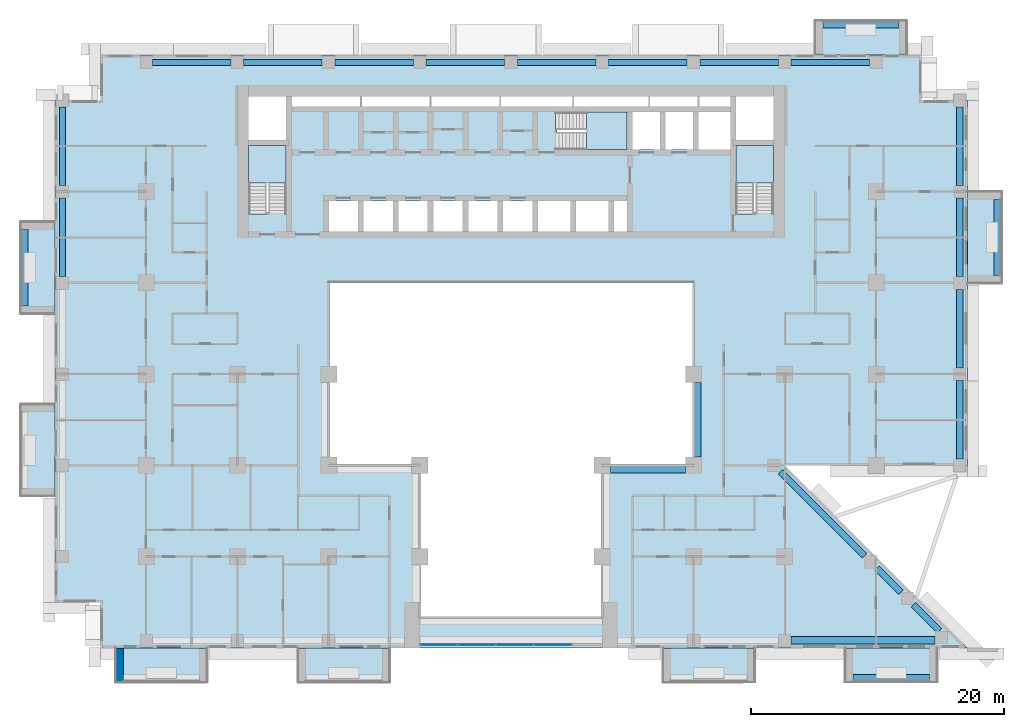
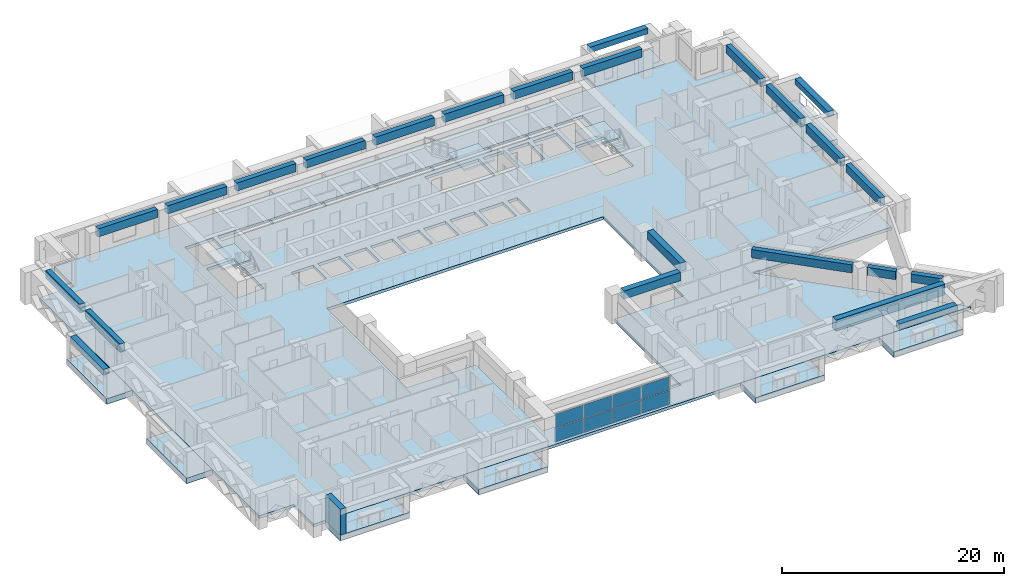
# One storey, part 5 of 17: 24 beams, 12 slabs, 8 plates, 1 wall, 4 elements without a shape of their own.
"""IFC4 building model written with IfcOpenShell, lengths in metres."""

import ifcopenshell
import ifcopenshell.guid

model = None  # the IFC model being written
_history = None  # IfcOwnerHistory: only IFC2X3 demands one
_inside = {}  # id of a spatial element -> (the spatial element, [elements in it])
_under = {}  # id of a project, library or spatial element -> (it, [spatial elements below it])
_declared = {}  # id of a project -> (the project, [libraries it declares])
_typed = {}  # id of a type object -> (the type object, [elements of that type])
_made_of = {}  # id of a material, layer set ... -> (it, [elements and type objects made of it])


def new_model(schema):
    """Start an empty IFC model of exactly this schema.

    Asked for "IFC4X3", IfcOpenShell would pick the latest addendum, in which some entities
    have other attributes; the version numbers below select the first issue.
    IFC2X3 requires an IfcOwnerHistory on every rooted entity: one is made here for all.
    """
    global model, _history
    if schema == "IFC4X3":
        model = ifcopenshell.file(schema_version=(4, 3, 0, 0))
    else:
        model = ifcopenshell.file(schema=schema)
    _inside.clear()
    _under.clear()
    _declared.clear()
    _typed.clear()
    _made_of.clear()
    _history = None
    if model.schema == "IFC2X3":
        org = make("IfcOrganization", Name="unknown")
        user = make(
            "IfcPersonAndOrganization",
            ThePerson=make("IfcPerson", FamilyName="unknown"),
            TheOrganization=org,
        )
        app = make(
            "IfcApplication",
            ApplicationDeveloper=org,
            Version="unknown",
            ApplicationFullName="unknown",
            ApplicationIdentifier="unknown",
        )
        _history = make(
            "IfcOwnerHistory",
            OwningUser=user,
            OwningApplication=app,
            ChangeAction="ADDED",
            CreationDate=0,
        )
    return model


def make(cls, **values):
    """One entity of the class cls with the attributes given. An attribute that is None is left unset."""
    return model.create_entity(
        cls, **{name: value for name, value in values.items() if value is not None}
    )


def rooted(cls, **values):
    """An entity with a GlobalId (a new one), such as an element, a storey or a relation."""
    return make(cls, GlobalId=ifcopenshell.guid.new(), OwnerHistory=_history, **values)


def si_unit(unit_type, name, prefix=None):
    """IfcSIUnit, for example si_unit("LENGTHUNIT", "METRE", prefix="MILLI")."""
    return make("IfcSIUnit", UnitType=unit_type, Prefix=prefix, Name=name)


def assignment(units):
    """IfcUnitAssignment: the units of a project."""
    return None if units is None else make("IfcUnitAssignment", Units=units)


def point(xyz):
    """IfcCartesianPoint."""
    return None if xyz is None else make("IfcCartesianPoint", Coordinates=xyz)


def direction(xyz):
    """IfcDirection."""
    return None if xyz is None else make("IfcDirection", DirectionRatios=xyz)


def frame(location, z_axis=None, x_axis=None):
    """IfcAxis2Placement3D, a coordinate frame: its origin and axes. An axis left out is left unset."""
    return make(
        "IfcAxis2Placement3D",
        Location=point(location),
        Axis=direction(z_axis),
        RefDirection=direction(x_axis),
    )


def frame_2d(location, x_axis=None):
    """IfcAxis2Placement2D, a coordinate frame in the plane: its origin and x axis."""
    return make(
        "IfcAxis2Placement2D", Location=point(location), RefDirection=direction(x_axis)
    )


def origin():
    """The frame at (0, 0, 0) with its axes left unset."""
    return frame((0.0, 0.0, 0.0))


def origin_2d():
    """The frame at (0, 0) in the plane with its x axis left unset."""
    return frame_2d((0.0, 0.0))


def place(relative_to, where):
    """IfcLocalPlacement: puts the frame where relative to a parent placement (None: the world)."""
    return make(
        "IfcLocalPlacement", PlacementRelTo=relative_to, RelativePlacement=where
    )


def context(
    kind, dimensions, precision=None, world=None, true_north=None, identifier=None
):
    """IfcGeometricRepresentationContext, for example the 3D "Model" context."""
    return make(
        "IfcGeometricRepresentationContext",
        ContextIdentifier=identifier,
        ContextType=kind,
        CoordinateSpaceDimension=dimensions,
        Precision=precision,
        WorldCoordinateSystem=world,
        TrueNorth=true_north,
    )


def subcontext(parent, identifier, kind, view, scale=None):
    """IfcGeometricRepresentationSubContext, for example "Body" below "Model"."""
    return make(
        "IfcGeometricRepresentationSubContext",
        ContextIdentifier=identifier,
        ContextType=kind,
        ParentContext=parent,
        TargetScale=scale,
        TargetView=view,
    )


def project(units=None, contexts=None):
    """IfcProject with its units and contexts."""
    return rooted(
        "IfcProject",
        Name="project",
        RepresentationContexts=contexts,
        UnitsInContext=assignment(units),
    )


def spatial(cls, under=None, at=None, **own):
    """A site, building, storey or space (cls), placed at a placement, below another one or the project."""
    s = rooted(cls, ObjectPlacement=at, **own)
    if under is not None:
        _under.setdefault(under.id(), (under, []))[1].append(s)
    return s


def polyline(points):
    """IfcPolyline through the points."""
    return make("IfcPolyline", Points=[point(p) for p in points])


def profile(cls, at=None, kind="AREA", **sizes):
    """A parametric profile (cls). Its sizes go by their IFC names, for example OverallWidth=200.0."""
    return make(cls, ProfileType=kind, Position=at, **sizes)


def rectangle(**sizes):
    """IfcRectangleProfileDef."""
    return profile("IfcRectangleProfileDef", **sizes)


def outline(outer, holes=None, kind="AREA"):
    """IfcArbitraryClosedProfileDef: a profile drawn as a closed curve; with holes, ...WithVoids."""
    if holes is None:
        return make("IfcArbitraryClosedProfileDef", ProfileType=kind, OuterCurve=outer)
    return make(
        "IfcArbitraryProfileDefWithVoids",
        ProfileType=kind,
        OuterCurve=outer,
        InnerCurves=holes,
    )


def extrude(swept, where, along, depth):
    """IfcExtrudedAreaSolid: the profile swept, set in the frame where, extruded along a direction by depth."""
    return make(
        "IfcExtrudedAreaSolid",
        SweptArea=swept,
        Position=where,
        ExtrudedDirection=direction(along),
        Depth=depth,
    )


def shape(context_of_items, identifier, shape_type, items):
    """IfcShapeRepresentation: the items that make up one representation, for example the "Body"."""
    return make(
        "IfcShapeRepresentation",
        ContextOfItems=context_of_items,
        RepresentationIdentifier=identifier,
        RepresentationType=shape_type,
        Items=items,
    )


def source(mapping_origin, context_of_items, identifier, shape_type, items):
    """IfcRepresentationMap: a shape defined once, which mapped items show again and again."""
    return make(
        "IfcRepresentationMap",
        MappingOrigin=mapping_origin,
        MappedRepresentation=shape(context_of_items, identifier, shape_type, items),
    )


def transform(
    local_origin,
    x_axis=None,
    y_axis=None,
    z_axis=None,
    scale=None,
    scale2=None,
    scale3=None,
    uniform=True,
):
    """IfcCartesianTransformationOperator3D, or its non-uniform kind. x_axis, y_axis, z_axis: its Axis1, 2, 3."""
    if uniform:
        return make(
            "IfcCartesianTransformationOperator3D",
            Axis1=direction(x_axis),
            Axis2=direction(y_axis),
            LocalOrigin=point(local_origin),
            Scale=scale,
            Axis3=direction(z_axis),
        )
    return make(
        "IfcCartesianTransformationOperator3DnonUniform",
        Axis1=direction(x_axis),
        Axis2=direction(y_axis),
        LocalOrigin=point(local_origin),
        Scale=scale,
        Axis3=direction(z_axis),
        Scale2=scale2,
        Scale3=scale3,
    )


def mapped(mapping_source, mapping_target):
    """IfcMappedItem: shows the shape of a source again, moved by a transform."""
    return make(
        "IfcMappedItem", MappingSource=mapping_source, MappingTarget=mapping_target
    )


def material(Name=None, Category=None):
    """IfcMaterial."""
    return make("IfcMaterial", Name=Name, Category=Category)


def layer(
    of_material, thickness, ventilated=None, Name=None, Category=None, Priority=None
):
    """IfcMaterialLayer: one layer of a wall or slab, of a material (None: an air gap)."""
    return make(
        "IfcMaterialLayer",
        Material=of_material,
        LayerThickness=thickness,
        IsVentilated=ventilated,
        Name=Name,
        Category=Category,
        Priority=Priority,
    )


def layer_set(layers, Name=None):
    """IfcMaterialLayerSet."""
    return make("IfcMaterialLayerSet", MaterialLayers=layers, LayerSetName=Name)


def material_profile(
    of_material, cross_section, Name=None, Category=None, Priority=None
):
    """IfcMaterialProfile: a cross section and its material."""
    return make(
        "IfcMaterialProfile",
        Name=Name,
        Material=of_material,
        Profile=cross_section,
        Priority=Priority,
        Category=Category,
    )


def profile_set(profiles, Name=None, composite=None):
    """IfcMaterialProfileSet."""
    return make(
        "IfcMaterialProfileSet",
        Name=Name,
        MaterialProfiles=profiles,
        CompositeProfile=composite,
    )


def made_of(thing, what):
    """Note that an element or type object is made of a material, layer set ...; save() writes the relation."""
    if what is not None:
        _made_of.setdefault(what.id(), (what, []))[1].append(thing)
    return thing


def type_object(cls, material=None, **own):
    """A type object (cls), such as IfcWallType, which elements share."""
    return made_of(rooted(cls, **own), material)


def element(
    cls,
    number,
    at=None,
    inside=None,
    cuts=None,
    type_object=None,
    material=None,
    context=None,
    identifier="Body",
    shape_type=None,
    held_by="IfcProductDefinitionShape",
    body=None,
    shapes=None,
    **own,
):
    """One element of the class cls, such as IfcWall. Its Tag is "e" and its number.

    at: its placement. inside: the storey or other place that contains it. cuts: it is an
    opening in that element (IfcRelVoidsElement). A single representation is given by context,
    identifier, shape_type and body (its items); several are given by shapes. held_by: the class
    of the entity that holds the representations. save() writes the other relations.
    """
    e = rooted(cls, Tag="e%d" % number, ObjectPlacement=at, **own)
    if body is not None:
        shapes = [shape(context, identifier, shape_type, body)]
    if shapes is not None:
        e.Representation = make(held_by, Representations=shapes)
    if inside is not None:
        _inside.setdefault(inside.id(), (inside, []))[1].append(e)
    if cuts is not None:
        rooted(
            "IfcRelVoidsElement", RelatingBuildingElement=cuts, RelatedOpeningElement=e
        )
    if type_object is not None:
        _typed.setdefault(type_object.id(), (type_object, []))[1].append(e)
    return made_of(e, material)


def aggregate(whole, parts):
    """IfcRelAggregates: a whole, such as a stair, and the parts it consists of."""
    return rooted("IfcRelAggregates", RelatingObject=whole, RelatedObjects=parts)


def save(model, path):
    """Write the relations noted so far, then the file.

    IfcRelAggregates (storeys below a building ...), IfcRelContainedInSpatialStructure (elements
    in a storey), IfcRelDefinesByType, IfcRelAssociatesMaterial and IfcRelDeclares: one each for
    every whole, place, type object, material and project.
    """
    for whole, parts in _under.values():
        aggregate(whole, parts)
    for where, things in _inside.values():
        rooted(
            "IfcRelContainedInSpatialStructure",
            RelatedElements=things,
            RelatingStructure=where,
        )
    for kind, things in _typed.values():
        rooted("IfcRelDefinesByType", RelatedObjects=things, RelatingType=kind)
    for what, things in _made_of.values():
        rooted("IfcRelAssociatesMaterial", RelatedObjects=things, RelatingMaterial=what)
    for by, libraries in _declared.values():
        rooted("IfcRelDeclares", RelatingContext=by, RelatedDefinitions=libraries)
    model.write(path)


model = new_model("IFC4")

# Units and contexts
model_context = context("Model", 3, precision=1e-05, world=origin(), true_north=direction((0.0, 1.0)))
body_context = subcontext(model_context, "Body", "Model", "MODEL_VIEW")
ifc_project = project(units=[si_unit("LENGTHUNIT", "METRE"), si_unit("AREAUNIT", "SQUARE_METRE"), si_unit("VOLUMEUNIT", "CUBIC_METRE"), si_unit("PLANEANGLEUNIT", "RADIAN"), si_unit("MASSUNIT", "GRAM", prefix="KILO")], contexts=[model_context])

# Site, building, storey
site_placement = place(None, origin())
site = spatial("IfcSite", under=ifc_project, at=site_placement, CompositionType="ELEMENT")
building_placement = place(site_placement, origin())
building = spatial("IfcBuilding", under=site, at=building_placement, Name="Saffron Iwan Residences", CompositionType="ELEMENT")
storey_placement = place(building_placement, frame((0.0, 0.0, 62.0)))
storey = spatial("IfcBuildingStorey", under=building, at=storey_placement, Name="L15", CompositionType="ELEMENT", Elevation=62.0)

# Beams
ifc_material_1 = material(Name="Concrete C60/75", Category="concrete")
ifc_material_profile_1 = material_profile(ifc_material_1, rectangle(XDim=0.5, YDim=0.89990234375, at=origin_2d()), Name="RC 500x900")
ifc_profile_set_1 = profile_set([ifc_material_profile_1], Name="Concrete C60/75")
beam_type_1 = type_object("IfcBeamType", Name="SPANDREL BEAM RC 500x900 C60/75 TOP 3180", PredefinedType="SPANDREL", material=ifc_profile_set_1)
shared_shape_1 = source(origin(), body_context, "Body", "SweptSolid", [
    extrude(rectangle(XDim=0.5, YDim=0.89990234375, at=origin_2d()), origin(), (0.0, 0.0, 1.0), 6.199951171875),
])
for number, where, z_axis, x_axis, name in (
    (1, (85.800048828125, 54.699951171875, 2.72998046875), (0.0, -1.0, 0.0), (1.0, 0.0, 0.0), "Spandrel beam"),
    (2, (85.800048828125, 61.89990234375, 2.72998046875), (0.0, -1.0, 0.0), (1.0, 0.0, 0.0), "Spandrel beam"),
    (3, (15.0, 70.10009765625, 2.72998046875), (0.0, 1.0, 0.0), (-1.0, 0.0, 0.0), "Spandrel beam"),
    (4, (85.800048828125, 76.300048828125, 2.72998046875), (0.0, -1.0, 0.0), (1.0, 0.0, 0.0), "Spandrel beam"),
    (5, (22.10009765625, 79.800048828125, 2.72998046875), (1.0, 0.0, 0.0), (0.0, 1.0, 0.0), "Spandrel beam"),
    (6, (29.300048828125, 79.800048828125, 2.72998046875), (1.0, 0.0, 0.0), (0.0, 1.0, 0.0), "Spandrel beam"),
    (7, (36.5, 79.800048828125, 2.72998046875), (1.0, 0.0, 0.0), (0.0, 1.0, 0.0), "Spandrel beam"),
    (8, (43.699951171875, 79.800048828125, 2.72998046875), (1.0, 0.0, 0.0), (0.0, 1.0, 0.0), "Spandrel beam"),
    (9, (58.10009765625, 79.800048828125, 2.72998046875), (1.0, 0.0, 0.0), (0.0, 1.0, 0.0), "Spandrel beam"),
    (10, (65.300048828125, 79.800048828125, 2.72998046875), (1.0, 0.0, 0.0), (0.0, 1.0, 0.0), "Spandrel beam"),
    (11, (72.5, 79.800048828125, 2.72998046875), (1.0, 0.0, 0.0), (0.0, 1.0, 0.0), "Spandrel beam"),
):
    element("IfcBeam", number, at=place(storey_placement, frame(where, z_axis=z_axis, x_axis=x_axis)), inside=storey, type_object=beam_type_1, Name=name, PredefinedType="SPANDREL", context=body_context, shape_type="MappedRepresentation", body=[
        mapped(shared_shape_1, transform((0.0, 0.0, 0.0))),
    ])
shared_shape_2 = source(origin(), body_context, "Body", "SweptSolid", [
    extrude(rectangle(XDim=0.5, YDim=0.89990234375, at=origin_2d()), origin(), (0.0, 0.0, 1.0), 2.90478515625),
])
beam_1_placement = place(storey_placement, frame((82.15576171875, 36.995849609375, 2.72998046875), z_axis=(0.707106781187, -0.707106781187, 0.0), x_axis=(0.707106781187, 0.707106781187, 0.0)))
element("IfcBeam", 12, at=beam_1_placement, inside=storey, type_object=beam_type_1, Name="Spandrel beam", PredefinedType="SPANDREL", context=body_context, shape_type="MappedRepresentation", body=[
    mapped(shared_shape_2, transform((0.0, 0.0, 0.0))),
])
shared_shape_3 = source(origin(), body_context, "Body", "SweptSolid", [
    extrude(rectangle(XDim=0.5, YDim=0.89990234375, at=origin_2d()), origin(), (0.0, 0.0, 1.0), 2.658935546875),
])
beam_2_placement = place(storey_placement, frame((79.275634765625, 39.875732421875, 2.72998046875), z_axis=(0.707106781187, -0.707106781187, 0.0), x_axis=(0.707106781187, 0.707106781187, 0.0)))
element("IfcBeam", 13, at=beam_2_placement, inside=storey, type_object=beam_type_1, Name="Spandrel beam", PredefinedType="SPANDREL", context=body_context, shape_type="MappedRepresentation", body=[
    mapped(shared_shape_3, transform((0.0, 0.0, 0.0))),
])
shared_shape_4 = source(origin(), body_context, "Body", "SweptSolid", [
    extrude(rectangle(XDim=0.5, YDim=0.89990234375, at=origin_2d()), origin(), (0.0, 0.0, 1.0), 9.370361328125),
])
beam_3_placement = place(storey_placement, frame((71.64990234375, 47.50146484375, 2.72998046875), z_axis=(0.707119808329, -0.707093753804, 0.0), x_axis=(0.707093753804, 0.707119808329, 0.0)))
element("IfcBeam", 14, at=beam_3_placement, inside=storey, type_object=beam_type_1, Name="Spandrel beam", PredefinedType="SPANDREL", context=body_context, shape_type="MappedRepresentation", body=[
    mapped(shared_shape_4, transform((0.0, 0.0, 0.0))),
])
shared_shape_5 = source(origin(), body_context, "Body", "SweptSolid", [
    extrude(rectangle(XDim=0.5, YDim=0.89990234375, at=origin_2d()), origin(), (0.0, 0.0, 1.0), 6.2001953125),
])
for number, where, z_axis, x_axis, name in (
    (15, (15.0, 62.89990234375, 2.72998046875), (0.0, 1.0, 0.0), (-1.0, 0.0, 0.0), "Spandrel beam"),
    (16, (85.800048828125, 69.10009765625, 2.72998046875), (0.0, -1.0, 0.0), (1.0, 0.0, 0.0), "Spandrel beam"),
    (17, (50.89990234375, 79.800048828125, 2.72998046875), (1.0, 0.0, 0.0), (0.0, 1.0, 0.0), "Spandrel beam"),
):
    element("IfcBeam", number, at=place(storey_placement, frame(where, z_axis=z_axis, x_axis=x_axis)), inside=storey, type_object=beam_type_1, Name=name, PredefinedType="SPANDREL", context=body_context, shape_type="MappedRepresentation", body=[
        mapped(shared_shape_5, transform((0.0, 0.0, 0.0))),
    ])
ifc_material_profile_2 = material_profile(ifc_material_1, rectangle(XDim=0.60009765625, YDim=1.199951171875, at=origin_2d()), Name="RC 600x1200")
ifc_profile_set_2 = profile_set([ifc_material_profile_2], Name="Concrete C60/75")
beam_type_2 = type_object("IfcBeamType", Name="LINTEL BEAM RC 600x1200 C60/75 TOP 3180", PredefinedType="LINTEL", material=ifc_profile_set_2)
shared_shape_6 = source(origin(), body_context, "Body", "SweptSolid", [
    extrude(rectangle(XDim=0.60009765625, YDim=1.199951171875, at=origin_2d()), origin(), (0.0, 0.0, 1.0), 11.367431640625),
])
beam_4_placement = place(storey_placement, frame((83.867431640625, 34.199951171875, 2.580078125), z_axis=(-1.0, 0.0, 0.0), x_axis=(0.0, -1.0, 0.0)))
element("IfcBeam", 18, at=beam_4_placement, inside=storey, type_object=beam_type_2, Name="Lintel beam over the iwan", PredefinedType="LINTEL", context=body_context, shape_type="MappedRepresentation", body=[
    mapped(shared_shape_6, transform((0.0, 0.0, 0.0))),
])
ifc_material_profile_3 = material_profile(ifc_material_1, rectangle(XDim=0.60009765625, YDim=0.89990234375, at=origin_2d()), Name="RC 600x900")
ifc_profile_set_3 = profile_set([ifc_material_profile_3], Name="Concrete C60/75")
beam_type_3 = type_object("IfcBeamType", Name="BEAM RC 600x900 C60/75 TOP 3180", PredefinedType="BEAM", material=ifc_profile_set_3)
shared_shape_7 = source(origin(), body_context, "Body", "SweptSolid", [
    extrude(rectangle(XDim=0.60009765625, YDim=0.89990234375, at=origin_2d()), origin(), (0.0, 0.0, 1.0), 5.900146484375),
])
beam_5_placement = place(storey_placement, frame((65.10009765625, 54.550048828125, 2.72998046875), z_axis=(0.0, -1.0, 0.0), x_axis=(1.0, 0.0, 0.0)))
element("IfcBeam", 19, at=beam_5_placement, inside=storey, type_object=beam_type_3, Name="Atrium edge beam", PredefinedType="BEAM", context=body_context, shape_type="MappedRepresentation", body=[
    mapped(shared_shape_7, transform((0.0, 0.0, 0.0))),
])
shared_shape_8 = source(origin(), body_context, "Body", "SweptSolid", [
    extrude(rectangle(XDim=0.60009765625, YDim=0.89990234375, at=origin_2d()), origin(), (0.0, 0.0, 1.0), 5.89990234375),
])
beam_6_placement = place(storey_placement, frame((64.14990234375, 47.699951171875, 2.72998046875), z_axis=(-1.0, 0.0, 0.0), x_axis=(0.0, -1.0, 0.0)))
element("IfcBeam", 20, at=beam_6_placement, inside=storey, type_object=beam_type_3, Name="Atrium edge beam", PredefinedType="BEAM", context=body_context, shape_type="MappedRepresentation", body=[
    mapped(shared_shape_8, transform((0.0, 0.0, 0.0))),
])
ifc_material_2 = material(Name="Concrete C50/60 white painted", Category="concrete")
ifc_material_profile_4 = material_profile(ifc_material_2, rectangle(XDim=0.60009765625, YDim=0.60009765625, at=origin_2d()), Name="BALCONY FASCIA BEAM 600 x 600")
ifc_profile_set_4 = profile_set([ifc_material_profile_4], Name="Concrete C50/60 white painted")
beam_type_4 = type_object("IfcBeamType", Name="BALCONY FASCIA BEAM 600 x 600", PredefinedType="BEAM", material=ifc_profile_set_4)
shared_shape_9 = source(origin(), body_context, "Body", "SweptSolid", [
    extrude(rectangle(XDim=0.60009765625, YDim=0.60009765625, at=origin_2d()), origin(), (0.0, 0.0, 1.0), 6.0),
])
for number, where, z_axis, x_axis, name in (
    (21, (88.800048828125, 63.0, 2.550048828125), (0.0, 1.0, 0.0), (-1.0, 0.0, 0.0), "Balcony fascia beam L15 F2-0"),
    (22, (81.0, 82.800048828125, 2.550048828125), (-1.0, 0.0, 0.0), (0.0, -1.0, 0.0), "Balcony fascia beam L15 F5-0"),
    (23, (12.0, 66.60009765625, 2.550048828125), (0.0, -1.0, 0.0), (1.0, 0.0, 0.0), "Balcony fascia beam L15 F8-0"),
    (24, (77.39990234375, 31.199951171875, 2.550048828125), (1.0, 0.0, 0.0), (0.0, 1.0, 0.0), "Balcony fascia beam L15 11-3"),
):
    element("IfcBeam", number, at=place(storey_placement, frame(where, z_axis=z_axis, x_axis=x_axis)), inside=storey, type_object=beam_type_4, Name=name, PredefinedType="BEAM", context=body_context, shape_type="MappedRepresentation", body=[
        mapped(shared_shape_9, transform((0.0, 0.0, 0.0))),
    ])

# Slabs
ifc_layer_1 = layer(ifc_material_2, 0.60009765625)
ifc_layer_set_1 = layer_set([ifc_layer_1], Name="Concrete C50/60 white painted")
slab_type_1 = type_object("IfcSlabType", Name="BALCONY FRAME SLAB 600", PredefinedType="FLOOR", material=ifc_layer_set_1)
slab_1_placement = place(storey_placement, frame((0.0, 0.0, -0.60009765625)))
element("IfcSlab", 25, at=slab_1_placement, inside=storey, type_object=slab_type_1, Name="Balcony frame slab L15 F2-0", PredefinedType="FLOOR", context=body_context, shape_type="SweptSolid", body=[
    extrude(outline(polyline([(89.10009765625, 62.39990234375), (89.10009765625, 69.60009765625), (86.39990234375, 69.60009765625), (86.39990234375, 62.39990234375), (89.10009765625, 62.39990234375)])), origin(), (0.0, 0.0, 1.0), 0.60009765625),
])
slab_2_placement = place(storey_placement, frame((0.0, 0.0, -0.60009765625)))
element("IfcSlab", 26, at=slab_2_placement, inside=storey, type_object=slab_type_1, Name="Balcony frame slab L15 F5-0", PredefinedType="FLOOR", context=body_context, shape_type="SweptSolid", body=[
    extrude(outline(polyline([(81.60009765625, 83.10009765625), (74.39990234375, 83.10009765625), (74.39990234375, 80.39990234375), (81.60009765625, 80.39990234375), (81.60009765625, 83.10009765625)])), origin(), (0.0, 0.0, 1.0), 0.60009765625),
])
slab_3_placement = place(storey_placement, frame((0.0, 0.0, -0.60009765625)))
element("IfcSlab", 27, at=slab_3_placement, inside=storey, type_object=slab_type_1, Name="Balcony frame slab L15 F8-0", PredefinedType="FLOOR", context=body_context, shape_type="SweptSolid", body=[
    extrude(outline(polyline([(11.699951171875, 67.199951171875), (11.699951171875, 60.0), (14.39990234375, 60.0), (14.39990234375, 67.199951171875), (11.699951171875, 67.199951171875)])), origin(), (0.0, 0.0, 1.0), 0.60009765625),
])
slab_4_placement = place(storey_placement, frame((0.0, 0.0, -0.60009765625)))
element("IfcSlab", 28, at=slab_4_placement, inside=storey, type_object=slab_type_1, Name="Balcony frame slab L15 F8-1", PredefinedType="FLOOR", context=body_context, shape_type="SweptSolid", body=[
    extrude(outline(polyline([(11.699951171875, 52.800048828125), (11.699951171875, 45.60009765625), (14.39990234375, 45.60009765625), (14.39990234375, 52.800048828125), (11.699951171875, 52.800048828125)])), origin(), (0.0, 0.0, 1.0), 0.60009765625),
])
slab_5_placement = place(storey_placement, frame((0.0, 0.0, -0.60009765625)))
element("IfcSlab", 29, at=slab_5_placement, inside=storey, type_object=slab_type_1, Name="Balcony frame slab L15 11-0", PredefinedType="FLOOR", context=body_context, shape_type="SweptSolid", body=[
    extrude(outline(polyline([(19.199951171875, 30.89990234375), (26.39990234375, 30.89990234375), (26.39990234375, 33.60009765625), (19.199951171875, 33.60009765625), (19.199951171875, 30.89990234375)])), origin(), (0.0, 0.0, 1.0), 0.60009765625),
])
slab_6_placement = place(storey_placement, frame((0.0, 0.0, -0.60009765625)))
element("IfcSlab", 30, at=slab_6_placement, inside=storey, type_object=slab_type_1, Name="Balcony frame slab L15 11-1", PredefinedType="FLOOR", context=body_context, shape_type="SweptSolid", body=[
    extrude(outline(polyline([(33.60009765625, 30.89990234375), (40.800048828125, 30.89990234375), (40.800048828125, 33.60009765625), (33.60009765625, 33.60009765625), (33.60009765625, 30.89990234375)])), origin(), (0.0, 0.0, 1.0), 0.60009765625),
])
slab_7_placement = place(storey_placement, frame((0.0, 0.0, -0.60009765625)))
element("IfcSlab", 31, at=slab_7_placement, inside=storey, type_object=slab_type_1, Name="Balcony frame slab L15 11-2", PredefinedType="FLOOR", context=body_context, shape_type="SweptSolid", body=[
    extrude(outline(polyline([(62.39990234375, 30.89990234375), (69.60009765625, 30.89990234375), (69.60009765625, 33.60009765625), (62.39990234375, 33.60009765625), (62.39990234375, 30.89990234375)])), origin(), (0.0, 0.0, 1.0), 0.60009765625),
])
slab_8_placement = place(storey_placement, frame((0.0, 0.0, -0.60009765625)))
element("IfcSlab", 32, at=slab_8_placement, inside=storey, type_object=slab_type_1, Name="Balcony frame slab L15 11-3", PredefinedType="FLOOR", context=body_context, shape_type="SweptSolid", body=[
    extrude(outline(polyline([(76.800048828125, 30.89990234375), (84.0, 30.89990234375), (84.0, 33.60009765625), (76.800048828125, 33.60009765625), (76.800048828125, 30.89990234375)])), origin(), (0.0, 0.0, 1.0), 0.60009765625),
])
ifc_material_3 = material(Name="Concrete C40/50", Category="concrete")
ifc_layer_2 = layer(ifc_material_3, 0.320068359375)
ifc_layer_set_2 = layer_set([ifc_layer_2], Name="Concrete C40/50")
slab_type_2 = type_object("IfcSlabType", Name="PT PLATE 320 C40/50", PredefinedType="FLOOR", material=ifc_layer_set_2)
slab_9_placement = place(storey_placement, frame((0.0, 0.0, -0.320068359375)))
element("IfcSlab", 33, at=slab_9_placement, inside=storey, type_object=slab_type_2, Name="Floor slab L15", PredefinedType="FLOOR", context=body_context, shape_type="SweptSolid", body=[
    extrude(outline(polyline([(14.39990234375, 37.199951171875), (14.39990234375, 76.800048828125), (18.0, 76.800048828125), (18.0, 80.39990234375), (82.800048828125, 80.39990234375), (82.800048828125, 76.800048828125), (86.39990234375, 76.800048828125), (86.39990234375, 48.0), (72.0, 48.0), (86.39990234375, 33.60009765625), (18.0, 33.60009765625), (18.0, 37.199951171875), (14.39990234375, 37.199951171875)]), holes=[polyline([(64.800048828125, 48.0), (64.800048828125, 62.39990234375), (36.0, 62.39990234375), (36.0, 48.0), (43.199951171875, 48.0), (43.199951171875, 36.0), (57.60009765625, 36.0), (57.60009765625, 48.0), (64.800048828125, 48.0)]), polyline([(38.324951171875, 68.875), (36.02490234375, 68.875), (36.02490234375, 66.449951171875), (38.324951171875, 66.449951171875), (38.324951171875, 68.875)]), polyline([(41.074951171875, 66.449951171875), (41.074951171875, 68.875), (38.77490234375, 68.875), (38.77490234375, 66.449951171875), (41.074951171875, 66.449951171875)]), polyline([(43.824951171875, 66.449951171875), (43.824951171875, 68.875), (41.52490234375, 68.875), (41.52490234375, 66.449951171875), (43.824951171875, 66.449951171875)]), polyline([(46.574951171875, 68.875), (44.27490234375, 68.875), (44.27490234375, 66.449951171875), (46.574951171875, 66.449951171875), (46.574951171875, 68.875)]), polyline([(49.324951171875, 66.449951171875), (49.324951171875, 68.875), (47.02490234375, 68.875), (47.02490234375, 66.449951171875), (49.324951171875, 66.449951171875)]), polyline([(52.074951171875, 66.449951171875), (52.074951171875, 68.875), (49.77490234375, 68.875), (49.77490234375, 66.449951171875), (52.074951171875, 66.449951171875)]), polyline([(29.699951171875, 73.25), (29.699951171875, 67.949951171875), (29.699951171875, 67.8505859375), (31.10009765625, 67.8505859375), (31.10009765625, 67.949951171875), (32.64990234375, 67.949951171875), (32.64990234375, 73.25), (29.699951171875, 73.25)]), polyline([(32.64990234375, 73.699951171875), (32.64990234375, 77.10009765625), (29.699951171875, 77.10009765625), (29.699951171875, 73.699951171875), (32.64990234375, 73.699951171875)]), polyline([(38.5, 76.324951171875), (38.5, 77.10009765625), (33.10009765625, 77.10009765625), (33.10009765625, 76.324951171875), (38.5, 76.324951171875)]), polyline([(44.0, 77.10009765625), (38.60009765625, 77.10009765625), (38.60009765625, 76.324951171875), (44.0, 76.324951171875), (44.0, 77.10009765625)]), polyline([(49.5, 76.324951171875), (49.5, 77.10009765625), (44.10009765625, 77.10009765625), (44.10009765625, 76.324951171875), (49.5, 76.324951171875)]), polyline([(55.25, 76.324951171875), (55.25, 77.10009765625), (49.60009765625, 77.10009765625), (49.60009765625, 76.324951171875), (55.25, 76.324951171875)]), polyline([(55.074951171875, 68.875), (52.52490234375, 68.875), (52.52490234375, 66.449951171875), (55.074951171875, 66.449951171875), (55.074951171875, 68.875)]), polyline([(58.074951171875, 66.449951171875), (58.074951171875, 68.875), (55.52490234375, 68.875), (55.52490234375, 66.449951171875), (58.074951171875, 66.449951171875)]), polyline([(59.550048828125, 66.449951171875), (59.550048828125, 68.875), (58.52490234375, 68.875), (58.52490234375, 66.449951171875), (59.550048828125, 66.449951171875)]), polyline([(68.14990234375, 73.25), (68.14990234375, 67.949951171875), (68.14990234375, 67.8505859375), (69.550048828125, 67.8505859375), (69.550048828125, 67.949951171875), (71.10009765625, 67.949951171875), (71.10009765625, 73.25), (68.14990234375, 73.25)]), polyline([(53.925537109375, 74.47509765625), (54.02490234375, 74.47509765625), (54.02490234375, 72.925048828125), (59.550048828125, 72.925048828125), (59.550048828125, 75.875), (54.02490234375, 75.875), (53.925537109375, 75.875), (53.925537109375, 74.47509765625)]), polyline([(62.14990234375, 72.925048828125), (62.14990234375, 75.875), (60.0, 75.875), (60.0, 72.925048828125), (62.14990234375, 72.925048828125)]), polyline([(64.75, 75.875), (62.60009765625, 75.875), (62.60009765625, 72.925048828125), (64.75, 72.925048828125), (64.75, 75.875)]), polyline([(67.699951171875, 72.925048828125), (67.699951171875, 75.875), (65.199951171875, 75.875), (65.199951171875, 72.925048828125), (67.699951171875, 72.925048828125)]), polyline([(71.10009765625, 73.699951171875), (71.10009765625, 77.10009765625), (68.14990234375, 77.10009765625), (68.14990234375, 73.699951171875), (71.10009765625, 73.699951171875)]), polyline([(61.25, 77.10009765625), (55.35009765625, 77.10009765625), (55.35009765625, 76.324951171875), (61.25, 76.324951171875), (61.25, 77.10009765625)]), polyline([(65.14990234375, 76.324951171875), (65.14990234375, 77.10009765625), (61.35009765625, 77.10009765625), (61.35009765625, 76.324951171875), (65.14990234375, 76.324951171875)]), polyline([(67.699951171875, 76.324951171875), (67.699951171875, 77.10009765625), (65.25, 77.10009765625), (65.25, 76.324951171875), (67.699951171875, 76.324951171875)])]), origin(), (0.0, 0.0, 1.0), 0.320068359375),
])

# Stair, slab
ifc_material_4 = material(Name="Concrete C50/60", Category="concrete")
stair_type = type_object("IfcStairType", Name="Stair ST-CORE", PredefinedType="HALF_TURN_STAIR", material=ifc_material_4)
stair_1_placement = place(storey_placement, origin())
stair_1 = element("IfcStair", 34, at=stair_1_placement, inside=storey, type_object=stair_type, Name="L15 Exit Stair ST-W", PredefinedType="HALF_TURN_STAIR")
ifc_layer_3 = layer(ifc_material_4, 0.199951171875)
ifc_layer_set_3 = layer_set([ifc_layer_3], Name="Concrete C50/60")
slab_type_3 = type_object("IfcSlabType", Name="Stair landing SL-RC", PredefinedType="LANDING", material=ifc_layer_set_3)
slab_10_placement = place(storey_placement, frame((0.0, 0.0, 1.5498046875)))
slab_10 = element("IfcSlab", 35, at=slab_10_placement, type_object=slab_type_3, Name="ST-W landing 1", PredefinedType="LANDING", context=body_context, shape_type="SweptSolid", body=[
    extrude(outline(polyline([(32.64990234375, 70.280029296875), (32.64990234375, 73.25), (29.699951171875, 73.25), (29.699951171875, 70.280029296875), (32.64990234375, 70.280029296875)])), origin(), (0.0, 0.0, 1.0), 0.2001953125),
])
aggregate(stair_1, [slab_10])

stair_2_placement = place(storey_placement, origin())
stair_2 = element("IfcStair", 36, at=stair_2_placement, inside=storey, type_object=stair_type, Name="L15 Exit Stair ST-C", PredefinedType="HALF_TURN_STAIR")
slab_11_placement = place(storey_placement, frame((0.0, 0.0, 1.5498046875)))
slab_11 = element("IfcSlab", 37, at=slab_11_placement, type_object=slab_type_3, Name="ST-C landing 1", PredefinedType="LANDING", context=body_context, shape_type="SweptSolid", body=[
    extrude(outline(polyline([(56.35498046875, 72.925048828125), (59.550048828125, 72.925048828125), (59.550048828125, 75.875), (56.35498046875, 75.875), (56.35498046875, 72.925048828125)])), origin(), (0.0, 0.0, 1.0), 0.2001953125),
])
aggregate(stair_2, [slab_11])

stair_3_placement = place(storey_placement, origin())
stair_3 = element("IfcStair", 38, at=stair_3_placement, inside=storey, type_object=stair_type, Name="L15 Exit Stair ST-E", PredefinedType="HALF_TURN_STAIR")
slab_12_placement = place(storey_placement, frame((0.0, 0.0, 1.5498046875)))
slab_12 = element("IfcSlab", 39, at=slab_12_placement, type_object=slab_type_3, Name="ST-E landing 1", PredefinedType="LANDING", context=body_context, shape_type="SweptSolid", body=[
    extrude(outline(polyline([(71.10009765625, 70.280029296875), (71.10009765625, 73.25), (68.14990234375, 73.25), (68.14990234375, 70.280029296875), (71.10009765625, 70.280029296875)])), origin(), (0.0, 0.0, 1.0), 0.2001953125),
])
aggregate(stair_3, [slab_12])

# Curtain wall, plates
ifc_material_5 = material(Name="Clear glass, laminated double glazed", Category="glass")
ifc_layer_4 = layer(ifc_material_5, 0.199951171875)
ifc_layer_set_4 = layer_set([ifc_layer_4], Name="Clear glass, laminated double glazed")
curtain_wall_type = type_object("IfcCurtainWallType", Name="CW-B IWAN PORTAL", PredefinedType="NOTDEFINED", material=ifc_layer_set_4)
curtain_wall_placement = place(storey_placement, origin())
curtain_wall = element("IfcCurtainWall", 40, at=curtain_wall_placement, inside=storey, type_object=curtain_wall_type, Name="Iwan portal glazing L15.1", PredefinedType="NOTDEFINED")
ifc_layer_5 = layer(ifc_material_5, 0.028076171875)
ifc_layer_set_5 = layer_set([ifc_layer_5], Name="Clear glass, laminated double glazed")
plate_type = type_object("IfcPlateType", Name="CW-B PANEL 28", PredefinedType="CURTAIN_PANEL", material=ifc_layer_set_5)
shared_shape_10 = source(origin(), body_context, "Body", "SweptSolid", [
    extrude(rectangle(XDim=2.909912109375, YDim=0.028076171875, at=origin_2d()), origin(), (0.0, 0.0, 1.0), 1.5),
])
plate_1_placement = place(storey_placement, frame((44.715087890625, 33.85009765625, 0.06005859375), z_axis=(0.0, 0.0, 1.0), x_axis=(1.0, 0.0, 0.0)))
plate_1 = element("IfcPlate", 41, at=plate_1_placement, type_object=plate_type, Name="CW-B panel 1.1", PredefinedType="CURTAIN_PANEL", context=body_context, shape_type="MappedRepresentation", body=[
    mapped(shared_shape_10, transform((0.0, 0.0, 0.0))),
])
plate_2_placement = place(storey_placement, frame((44.715087890625, 33.85009765625, 1.6201171875), z_axis=(0.0, 0.0, 1.0), x_axis=(1.0, 0.0, 0.0)))
plate_2 = element("IfcPlate", 42, at=plate_2_placement, type_object=plate_type, Name="CW-B panel 1.2", PredefinedType="CURTAIN_PANEL", context=body_context, shape_type="MappedRepresentation", body=[
    mapped(shared_shape_10, transform((0.0, 0.0, 0.0))),
])
plate_3_placement = place(storey_placement, frame((53.68505859375, 33.85009765625, 0.06005859375), z_axis=(0.0, 0.0, 1.0), x_axis=(1.0, 0.0, 0.0)))
plate_3 = element("IfcPlate", 43, at=plate_3_placement, type_object=plate_type, Name="CW-B panel 4.1", PredefinedType="CURTAIN_PANEL", context=body_context, shape_type="MappedRepresentation", body=[
    mapped(shared_shape_10, transform((0.0, 0.0, 0.0))),
])
plate_4_placement = place(storey_placement, frame((53.68505859375, 33.85009765625, 1.6201171875), z_axis=(0.0, 0.0, 1.0), x_axis=(1.0, 0.0, 0.0)))
plate_4 = element("IfcPlate", 44, at=plate_4_placement, type_object=plate_type, Name="CW-B panel 4.2", PredefinedType="CURTAIN_PANEL", context=body_context, shape_type="MappedRepresentation", body=[
    mapped(shared_shape_10, transform((0.0, 0.0, 0.0))),
])
shared_shape_11 = source(origin(), body_context, "Body", "SweptSolid", [
    extrude(rectangle(XDim=2.93994140625, YDim=0.028076171875, at=origin_2d()), origin(), (0.0, 0.0, 1.0), 1.5),
])
plate_5_placement = place(storey_placement, frame((47.699951171875, 33.85009765625, 0.06005859375), z_axis=(0.0, 0.0, 1.0), x_axis=(1.0, 0.0, 0.0)))
plate_5 = element("IfcPlate", 45, at=plate_5_placement, type_object=plate_type, Name="CW-B panel 2.1", PredefinedType="CURTAIN_PANEL", context=body_context, shape_type="MappedRepresentation", body=[
    mapped(shared_shape_11, transform((0.0, 0.0, 0.0))),
])
plate_6_placement = place(storey_placement, frame((47.699951171875, 33.85009765625, 1.6201171875), z_axis=(0.0, 0.0, 1.0), x_axis=(1.0, 0.0, 0.0)))
plate_6 = element("IfcPlate", 46, at=plate_6_placement, type_object=plate_type, Name="CW-B panel 2.2", PredefinedType="CURTAIN_PANEL", context=body_context, shape_type="MappedRepresentation", body=[
    mapped(shared_shape_11, transform((0.0, 0.0, 0.0))),
])
plate_7_placement = place(storey_placement, frame((50.699951171875, 33.85009765625, 0.06005859375), z_axis=(0.0, 0.0, 1.0), x_axis=(1.0, 0.0, 0.0)))
plate_7 = element("IfcPlate", 47, at=plate_7_placement, type_object=plate_type, Name="CW-B panel 3.1", PredefinedType="CURTAIN_PANEL", context=body_context, shape_type="MappedRepresentation", body=[
    mapped(shared_shape_11, transform((0.0, 0.0, 0.0))),
])
plate_8_placement = place(storey_placement, frame((50.699951171875, 33.85009765625, 1.6201171875), z_axis=(0.0, 0.0, 1.0), x_axis=(1.0, 0.0, 0.0)))
plate_8 = element("IfcPlate", 48, at=plate_8_placement, type_object=plate_type, Name="CW-B panel 3.2", PredefinedType="CURTAIN_PANEL", context=body_context, shape_type="MappedRepresentation", body=[
    mapped(shared_shape_11, transform((0.0, 0.0, 0.0))),
])
aggregate(curtain_wall, [plate_1, plate_2, plate_5, plate_6, plate_7, plate_8, plate_3, plate_4])

# Wall
ifc_layer_6 = layer(ifc_material_2, 0.60009765625)
ifc_layer_set_6 = layer_set([ifc_layer_6], Name="Concrete C50/60 white painted")
wall_type = type_object("IfcWallType", Name="BALCONY FIN 600", PredefinedType="SOLIDWALL", material=ifc_layer_set_6)
wall_placement = place(storey_placement, frame((19.5, 33.550048828125, 0.0), z_axis=(0.0, 0.0, 1.0), x_axis=(0.0, -1.0, 0.0)))
element("IfcWall", 49, at=wall_placement, inside=storey, type_object=wall_type, Name="Balcony fin L15 11-0a", PredefinedType="SOLIDWALL", context=body_context, shape_type="SweptSolid", body=[
    extrude(rectangle(XDim=2.650146484375, YDim=0.60009765625, at=frame_2d((1.3251953125, 0.0))), origin(), (0.0, 0.0, 1.0), 2.85009765625),
])

save(model, "model.ifc")
